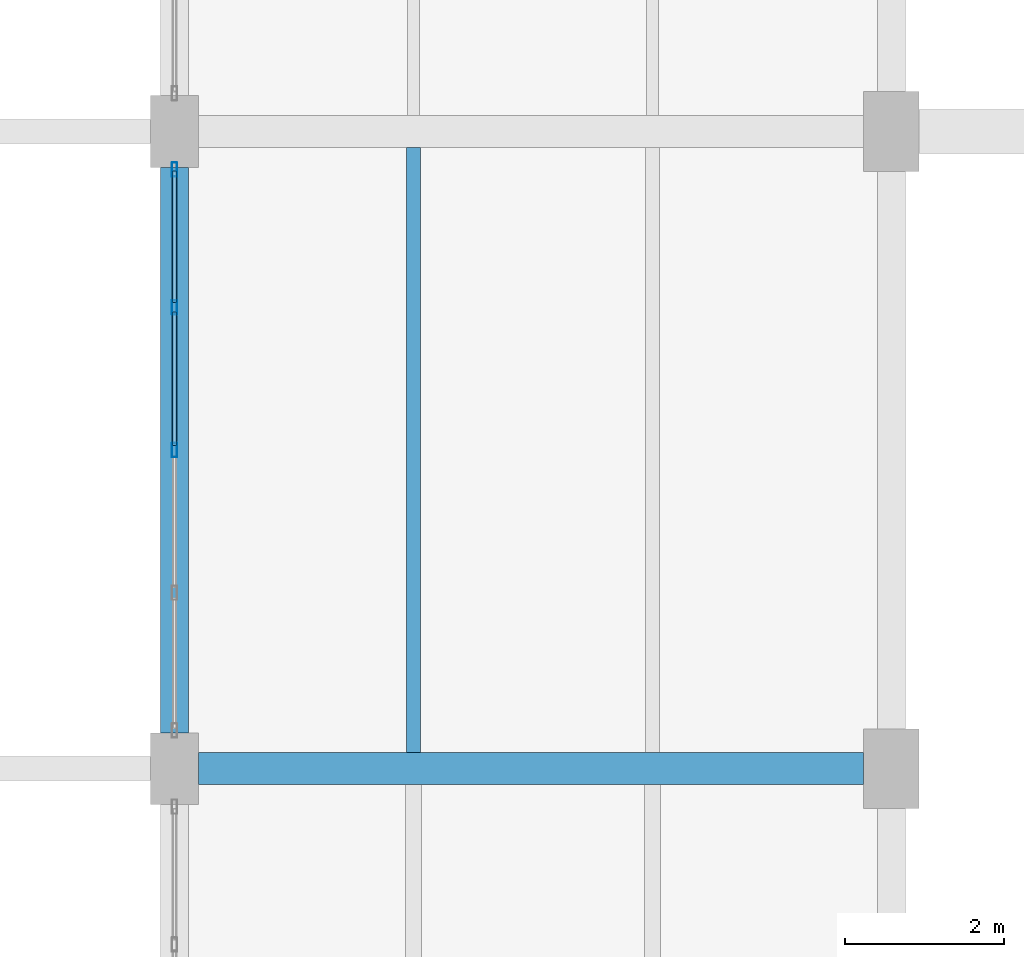
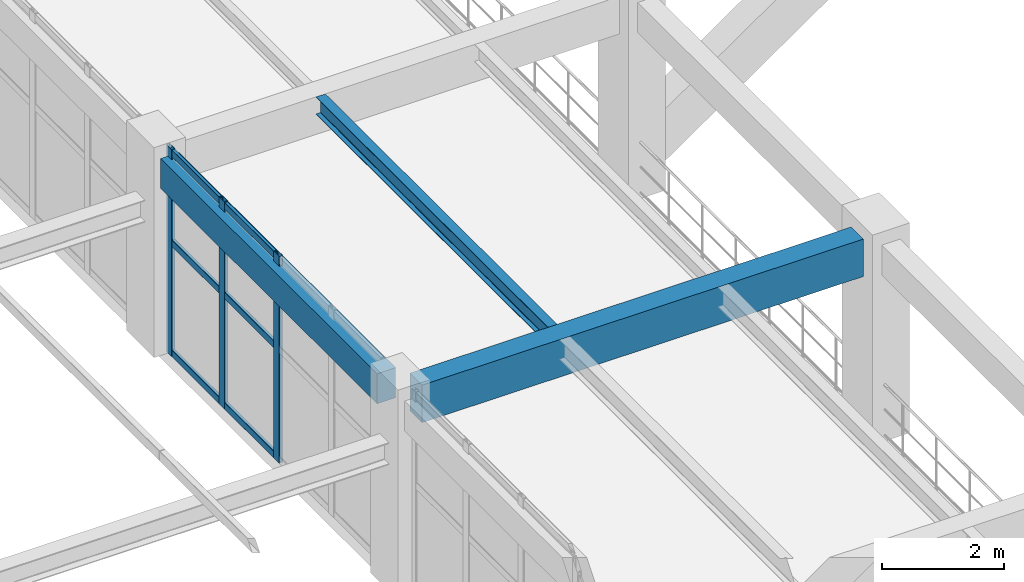
# One storey, part 38 of 148: 9 members, 3 beams, 1 element without a shape of its own.
"""IFC4 building model written with IfcOpenShell, lengths in metres."""

from ifc_helpers import new_model, si_unit, derived_unit, direction, frame, origin, origin_2d, place, context, subcontext, project, spatial, rectangle, hollow_rectangle, i_section, extrude, material, material_profile, profile_set, type_object, element, aggregate, save


model = new_model("IFC4")

# Units and contexts
model_context = context("Model", 3, precision=1e-05, world=origin(), true_north=direction((0.0, 1.0)))
body_context = subcontext(model_context, "Body", "Model", "MODEL_VIEW")
ifc_project = project(units=[si_unit("LENGTHUNIT", "METRE"), si_unit("AREAUNIT", "SQUARE_METRE"), si_unit("VOLUMEUNIT", "CUBIC_METRE"), si_unit("PLANEANGLEUNIT", "RADIAN"), si_unit("MASSUNIT", "GRAM", prefix="KILO"), derived_unit("THERMALTRANSMITTANCEUNIT", [(si_unit("MASSUNIT", "GRAM", prefix="KILO"), 1), (si_unit("TIMEUNIT", "SECOND"), -3), (si_unit("THERMODYNAMICTEMPERATUREUNIT", "KELVIN"), -1)])], contexts=[model_context])

# Site, building, storey
site_placement = place(None, origin())
site = spatial("IfcSite", under=ifc_project, at=site_placement, CompositionType="ELEMENT")
building_placement = place(site_placement, origin())
building = spatial("IfcBuilding", under=site, at=building_placement, Name="Zhenchuan Archway Interchange", CompositionType="ELEMENT")
storey_placement = place(building_placement, frame((0.0, 0.0, 10.199951171875)))
storey = spatial("IfcBuildingStorey", under=building, at=storey_placement, Name="L02", CompositionType="ELEMENT", Elevation=10.199951171875)

# Beam
ifc_material_1 = material(Name="Concrete C40", Category="concrete")
ifc_material_profile_1 = material_profile(ifc_material_1, rectangle(XDim=0.39990234375, YDim=0.75, at=origin_2d()), Name="RC 400x750")
ifc_profile_set_1 = profile_set([ifc_material_profile_1], Name="Concrete C40")
beam_type_1 = type_object("IfcBeamType", Name="BM_RC_400x750", PredefinedType="BEAM", material=ifc_profile_set_1)
beam_1_placement = place(storey_placement, frame((27.300048828125, 56.0, 3.56494140625), z_axis=(1.0, 0.0, 0.0), x_axis=(0.0, 1.0, 0.0)))
element("IfcBeam", 1, at=beam_1_placement, inside=storey, type_object=beam_type_1, Name="Beam H:4-5 (L02)", PredefinedType="BEAM", context=body_context, shape_type="SweptSolid", body=[
    extrude(rectangle(XDim=0.39990234375, YDim=0.75, at=origin_2d()), origin(), (0.0, 0.0, 1.0), 8.349853515625),
])

# Curtain wall, members
ifc_material_2 = material(Name="Anodised Aluminium", Category="aluminium")
curtain_wall_type = type_object("IfcCurtainWallType", Name="CW_UNIT_3", PredefinedType="NOTDEFINED", material=ifc_material_2)
curtain_wall_placement = place(storey_placement, origin())
curtain_wall = element("IfcCurtainWall", 2, at=curtain_wall_placement, inside=storey, type_object=curtain_wall_type, Name="Unitised curtain wall CW:L02:130", PredefinedType="NOTDEFINED")
ifc_material_profile_2 = material_profile(ifc_material_2, hollow_rectangle(XDim=0.070068359375, YDim=0.179931640625, WallThickness=0.00390625, InnerFilletRadius=0.00390625, OuterFilletRadius=0.008056640625, at=origin_2d()), Name="ALU 180x70x4")
ifc_profile_set_2 = profile_set([ifc_material_profile_2], Name="Anodised Aluminium")
member_type_1 = type_object("IfcMemberType", Name="CW_MUL_180", PredefinedType="MULLION", material=ifc_profile_set_2)
member_1_placement = place(storey_placement, frame((27.0, 60.0, 0.0), z_axis=(0.0, 0.0, 1.0), x_axis=(1.0, 0.0, 0.0)))
member_1 = element("IfcMember", 3, at=member_1_placement, type_object=member_type_1, Name="CW:L02:130 mullion 2", PredefinedType="MULLION", context=body_context, shape_type="SweptSolid", body=[
    extrude(hollow_rectangle(XDim=0.070068359375, YDim=0.179931640625, WallThickness=0.00390625, InnerFilletRadius=0.00390625, OuterFilletRadius=0.008056640625, at=origin_2d()), origin(), (0.0, 0.0, 1.0), 4.14013671875),
])
member_2_placement = place(storey_placement, frame((27.0, 61.791015625, 0.0), z_axis=(0.0, 0.0, 1.0), x_axis=(1.0, 0.0, 0.0)))
member_2 = element("IfcMember", 4, at=member_2_placement, type_object=member_type_1, Name="CW:L02:130 mullion 3", PredefinedType="MULLION", context=body_context, shape_type="SweptSolid", body=[
    extrude(hollow_rectangle(XDim=0.070068359375, YDim=0.179931640625, WallThickness=0.00390625, InnerFilletRadius=0.00390625, OuterFilletRadius=0.008056640625, at=origin_2d()), origin(), (0.0, 0.0, 1.0), 4.14013671875),
])
member_3_placement = place(storey_placement, frame((27.0, 63.52197265625, 0.0), z_axis=(0.0, 0.0, 1.0), x_axis=(1.0, 0.0, 0.0)))
member_3 = element("IfcMember", 5, at=member_3_placement, type_object=member_type_1, Name="CW:L02:130 mullion 4", PredefinedType="MULLION", context=body_context, shape_type="SweptSolid", body=[
    extrude(hollow_rectangle(XDim=0.070068359375, YDim=0.179931640625, WallThickness=0.00390625, InnerFilletRadius=0.00390625, OuterFilletRadius=0.008056640625, at=origin_2d()), origin(), (0.0, 0.0, 1.0), 4.14013671875),
])
ifc_material_profile_3 = material_profile(ifc_material_2, hollow_rectangle(XDim=0.06005859375, YDim=0.139892578125, WallThickness=0.00341796875, InnerFilletRadius=0.00341796875, OuterFilletRadius=0.007080078125, at=origin_2d()), Name="ALU 140x60x3.5")
ifc_profile_set_3 = profile_set([ifc_material_profile_3], Name="Anodised Aluminium")
member_type_2 = type_object("IfcMemberType", Name="CW_TRN_140", PredefinedType="USERDEFINED", material=ifc_profile_set_3)
member_4_placement = place(storey_placement, frame((27.0, 60.06005859375, 0.06005859375), z_axis=(0.0, 1.0, 0.0), x_axis=(-1.0, 0.0, 0.0)))
member_4 = element("IfcMember", 6, at=member_4_placement, type_object=member_type_2, Name="CW:L02:130 transom 2-1", ObjectType="TRANSOM", PredefinedType="USERDEFINED", context=body_context, shape_type="SweptSolid", body=[
    extrude(hollow_rectangle(XDim=0.06005859375, YDim=0.139892578125, WallThickness=0.00341796875, InnerFilletRadius=0.00341796875, OuterFilletRadius=0.007080078125, at=origin_2d()), origin(), (0.0, 0.0, 1.0), 1.6708984375),
])
member_5_placement = place(storey_placement, frame((27.0, 60.06005859375, 2.26611328125), z_axis=(0.0, 1.0, 0.0), x_axis=(-1.0, 0.0, 0.0)))
member_5 = element("IfcMember", 7, at=member_5_placement, type_object=member_type_2, Name="CW:L02:130 transom 2-2", ObjectType="TRANSOM", PredefinedType="USERDEFINED", context=body_context, shape_type="SweptSolid", body=[
    extrude(hollow_rectangle(XDim=0.06005859375, YDim=0.139892578125, WallThickness=0.00341796875, InnerFilletRadius=0.00341796875, OuterFilletRadius=0.007080078125, at=origin_2d()), origin(), (0.0, 0.0, 1.0), 1.6708984375),
])
member_6_placement = place(storey_placement, frame((27.0, 60.06005859375, 4.06005859375), z_axis=(0.0, 1.0, 0.0), x_axis=(-1.0, 0.0, 0.0)))
member_6 = element("IfcMember", 8, at=member_6_placement, type_object=member_type_2, Name="CW:L02:130 transom 2-3", ObjectType="TRANSOM", PredefinedType="USERDEFINED", context=body_context, shape_type="SweptSolid", body=[
    extrude(hollow_rectangle(XDim=0.06005859375, YDim=0.139892578125, WallThickness=0.00341796875, InnerFilletRadius=0.00341796875, OuterFilletRadius=0.007080078125, at=origin_2d()), origin(), (0.0, 0.0, 1.0), 1.6708984375),
])
member_7_placement = place(storey_placement, frame((27.0, 61.85107421875, 0.06005859375), z_axis=(0.0, 1.0, 0.0), x_axis=(-1.0, 0.0, 0.0)))
member_7 = element("IfcMember", 9, at=member_7_placement, type_object=member_type_2, Name="CW:L02:130 transom 3-1", ObjectType="TRANSOM", PredefinedType="USERDEFINED", context=body_context, shape_type="SweptSolid", body=[
    extrude(hollow_rectangle(XDim=0.06005859375, YDim=0.139892578125, WallThickness=0.00341796875, InnerFilletRadius=0.00341796875, OuterFilletRadius=0.007080078125, at=origin_2d()), origin(), (0.0, 0.0, 1.0), 1.65087890625),
])
member_8_placement = place(storey_placement, frame((27.0, 61.85107421875, 2.26611328125), z_axis=(0.0, 1.0, 0.0), x_axis=(-1.0, 0.0, 0.0)))
member_8 = element("IfcMember", 10, at=member_8_placement, type_object=member_type_2, Name="CW:L02:130 transom 3-2", ObjectType="TRANSOM", PredefinedType="USERDEFINED", context=body_context, shape_type="SweptSolid", body=[
    extrude(hollow_rectangle(XDim=0.06005859375, YDim=0.139892578125, WallThickness=0.00341796875, InnerFilletRadius=0.00341796875, OuterFilletRadius=0.007080078125, at=origin_2d()), origin(), (0.0, 0.0, 1.0), 1.65087890625),
])
member_9_placement = place(storey_placement, frame((27.0, 61.85107421875, 4.06005859375), z_axis=(0.0, 1.0, 0.0), x_axis=(-1.0, 0.0, 0.0)))
member_9 = element("IfcMember", 11, at=member_9_placement, type_object=member_type_2, Name="CW:L02:130 transom 3-3", ObjectType="TRANSOM", PredefinedType="USERDEFINED", context=body_context, shape_type="SweptSolid", body=[
    extrude(hollow_rectangle(XDim=0.06005859375, YDim=0.139892578125, WallThickness=0.00341796875, InnerFilletRadius=0.00341796875, OuterFilletRadius=0.007080078125, at=origin_2d()), origin(), (0.0, 0.0, 1.0), 1.65087890625),
])
aggregate(curtain_wall, [member_1, member_2, member_3, member_4, member_5, member_6, member_7, member_8, member_9])

# Beams
ifc_material_3 = material(Name="Steel Q355", Category="steel")
ifc_material_profile_4 = material_profile(ifc_material_3, i_section(OverallWidth=0.175048828125, OverallDepth=0.35009765625, WebThickness=0.007080078125, FlangeThickness=0.010986328125, FilletRadius=0.013916015625, at=origin_2d()), Name="HN 350x175")
ifc_profile_set_4 = profile_set([ifc_material_profile_4], Name="Steel Q355")
beam_type_2 = type_object("IfcBeamType", Name="JST_STL_HN350", PredefinedType="JOIST", material=ifc_profile_set_4)
beam_2_placement = place(storey_placement, frame((30.0, 56.199951171875, 3.76513671875), z_axis=(0.0, 1.0, 0.0), x_axis=(-1.0, 0.0, 0.0)))
element("IfcBeam", 12, at=beam_2_placement, inside=storey, type_object=beam_type_2, Name="Secondary joist 4-5/H-J #1 (L02)", PredefinedType="JOIST", context=body_context, shape_type="SweptSolid", body=[
    extrude(i_section(OverallWidth=0.175048828125, OverallDepth=0.35009765625, WebThickness=0.007080078125, FlangeThickness=0.010986328125, FilletRadius=0.013916015625, at=origin_2d()), origin(), (0.0, 0.0, 1.0), 7.60009765625),
])
ifc_material_profile_5 = material_profile(ifc_material_1, rectangle(XDim=0.35009765625, YDim=0.60009765625, at=origin_2d()), Name="RC 350x600")
ifc_profile_set_5 = profile_set([ifc_material_profile_5], Name="Concrete C40")
beam_type_3 = type_object("IfcBeamType", Name="SP_RC_350x600", PredefinedType="SPANDREL", material=ifc_profile_set_5)
beam_3_placement = place(storey_placement, frame((27.0, 56.449951171875, 3.64013671875), z_axis=(0.0, 1.0, 0.0), x_axis=(-1.0, 0.0, 0.0)))
element("IfcBeam", 13, at=beam_3_placement, inside=storey, type_object=beam_type_3, Name="Beam 4:H-J (L02)", PredefinedType="SPANDREL", context=body_context, shape_type="SweptSolid", body=[
    extrude(rectangle(XDim=0.35009765625, YDim=0.60009765625, at=origin_2d()), origin(), (0.0, 0.0, 1.0), 7.10009765625),
])

save(model, "model.ifc")
